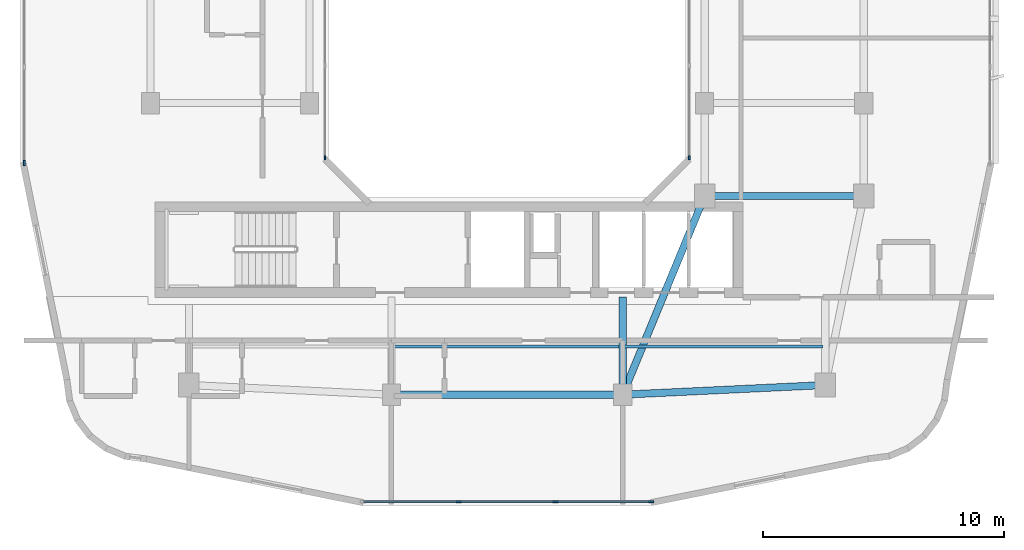
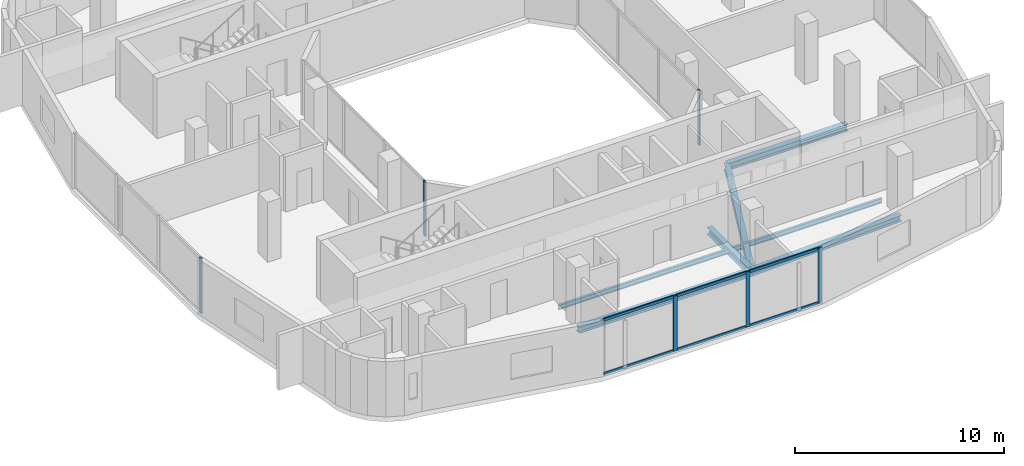
# One storey, part 2 of 14: 12 members, 7 beams, 4 elements without a shape of their own.
"""IFC4 building model written with IfcOpenShell, lengths in metres."""

from ifc_helpers import new_model, si_unit, derived_unit, direction, frame, origin, origin_2d, place, context, subcontext, project, spatial, rectangle, i_section, extrude, material, layer, layer_set, material_profile, profile_set, type_object, element, aggregate, save


model = new_model("IFC4")

# Units and contexts
model_context = context("Model", 3, precision=1e-05, world=origin(), true_north=direction((0.0, 1.0)))
body_context = subcontext(model_context, "Body", "Model", "MODEL_VIEW")
ifc_project = project(units=[si_unit("LENGTHUNIT", "METRE"), si_unit("AREAUNIT", "SQUARE_METRE"), si_unit("VOLUMEUNIT", "CUBIC_METRE"), si_unit("PLANEANGLEUNIT", "RADIAN"), si_unit("MASSUNIT", "GRAM", prefix="KILO"), derived_unit("THERMALTRANSMITTANCEUNIT", [(si_unit("POWERUNIT", "WATT"), 1), (si_unit("LENGTHUNIT", "METRE"), -2), (si_unit("THERMODYNAMICTEMPERATUREUNIT", "KELVIN"), -1)])], contexts=[model_context])

# Site, building, storey
site_placement = place(None, origin())
site = spatial("IfcSite", under=ifc_project, at=site_placement, CompositionType="ELEMENT")
building_placement = place(site_placement, origin())
building = spatial("IfcBuilding", under=site, at=building_placement, Name="Kivonza Crest Hotel", CompositionType="ELEMENT")
storey_placement = place(building_placement, frame((0.0, 0.0, 148.5)))
storey = spatial("IfcBuildingStorey", under=building, at=storey_placement, Name="L40", CompositionType="ELEMENT", Elevation=148.5)

# Beams
ifc_material_1 = material(Name="Steel S355", Category="steel")
ifc_material_profile_1 = material_profile(ifc_material_1, i_section(OverallWidth=0.300048828125, OverallDepth=0.360107421875, WebThickness=0.012451171875, FlangeThickness=0.0224609375, FilletRadius=0.027099609375, at=origin_2d()), Name="HEB 360")
ifc_profile_set_1 = profile_set([ifc_material_profile_1], Name="Steel S355")
beam_type_1 = type_object("IfcBeamType", Name="BM-HEB360", PredefinedType="SPANDREL", material=ifc_profile_set_1)
beam_1_placement = place(storey_placement, frame((16.199951171875, 9.39990234375, -0.4599609375), z_axis=(1.0, 0.0, 0.0), x_axis=(0.0, 1.0, 0.0)))
element("IfcBeam", 1, at=beam_1_placement, inside=storey, type_object=beam_type_1, Name="Tower T1 L40 perimeter spandrel S1-S2", PredefinedType="SPANDREL", context=body_context, shape_type="SweptSolid", body=[
    extrude(i_section(OverallWidth=0.300048828125, OverallDepth=0.360107421875, WebThickness=0.012451171875, FlangeThickness=0.0224609375, FilletRadius=0.027099609375, at=origin_2d()), origin(), (0.0, 0.0, 1.0), 9.60009765625),
])
beam_2_placement = place(storey_placement, frame((25.800048828125, 9.39990234375, -0.4599609375), z_axis=(0.998867283688, 0.047583080799, 0.0), x_axis=(-0.047583080799, 0.998867283688, 0.0)))
element("IfcBeam", 2, at=beam_2_placement, inside=storey, type_object=beam_type_1, Name="Tower T1 L40 perimeter spandrel S2-SE", PredefinedType="SPANDREL", context=body_context, shape_type="SweptSolid", body=[
    extrude(i_section(OverallWidth=0.300048828125, OverallDepth=0.360107421875, WebThickness=0.012451171875, FlangeThickness=0.0224609375, FilletRadius=0.027099609375, at=origin_2d()), origin(), (0.0, 0.0, 1.0), 8.409423828125),
])
ifc_material_profile_2 = material_profile(ifc_material_1, i_section(OverallWidth=0.300048828125, OverallDepth=0.39990234375, WebThickness=0.013427734375, FlangeThickness=0.02392578125, FilletRadius=0.027099609375, at=origin_2d()), Name="HEB 400")
ifc_profile_set_2 = profile_set([ifc_material_profile_2], Name="Steel S355")
beam_type_2 = type_object("IfcBeamType", Name="BM-HEB400", PredefinedType="BEAM", material=ifc_profile_set_2)
beam_3_placement = place(storey_placement, frame((25.800048828125, 9.39990234375, -0.47998046875), z_axis=(0.381022260404, 0.924565864109, 0.0), x_axis=(-0.924565864109, 0.381022260404, 0.0)))
element("IfcBeam", 3, at=beam_3_placement, inside=storey, type_object=beam_type_2, Name="Tower T1 L40 primary girder S1-TSE", PredefinedType="BEAM", context=body_context, shape_type="SweptSolid", body=[
    extrude(i_section(OverallWidth=0.300048828125, OverallDepth=0.39990234375, WebThickness=0.013427734375, FlangeThickness=0.02392578125, FilletRadius=0.027099609375, at=origin_2d()), origin(), (0.0, 0.0, 1.0), 8.923095703125),
])
beam_4_placement = place(storey_placement, frame((29.199951171875, 17.64990234375, -0.47998046875), z_axis=(1.0, 0.0, 0.0), x_axis=(0.0, 1.0, 0.0)))
element("IfcBeam", 4, at=beam_4_placement, inside=storey, type_object=beam_type_2, Name="Tower T1 L40 primary girder TSE-PSE", PredefinedType="BEAM", context=body_context, shape_type="SweptSolid", body=[
    extrude(i_section(OverallWidth=0.300048828125, OverallDepth=0.39990234375, WebThickness=0.013427734375, FlangeThickness=0.02392578125, FilletRadius=0.027099609375, at=origin_2d()), origin(), (0.0, 0.0, 1.0), 6.60009765625),
])
beam_5_placement = place(storey_placement, frame((25.800048828125, 9.39990234375, -0.47998046875), z_axis=(0.0, 1.0, 0.0), x_axis=(-1.0, 0.0, 0.0)))
element("IfcBeam", 5, at=beam_5_placement, inside=storey, type_object=beam_type_2, Name="Tower T1 L40 radial core girder RS2", PredefinedType="BEAM", context=body_context, shape_type="SweptSolid", body=[
    extrude(i_section(OverallWidth=0.300048828125, OverallDepth=0.39990234375, WebThickness=0.013427734375, FlangeThickness=0.02392578125, FilletRadius=0.027099609375, at=origin_2d()), origin(), (0.0, 0.0, 1.0), 4.050048828125),
])
ifc_material_profile_3 = material_profile(ifc_material_1, i_section(OverallWidth=0.135009765625, OverallDepth=0.27001953125, WebThickness=0.006591796875, FlangeThickness=0.01025390625, FilletRadius=0.014892578125, at=origin_2d()), Name="IPE 270")
ifc_profile_set_3 = profile_set([ifc_material_profile_3], Name="Steel S355")
beam_type_3 = type_object("IfcBeamType", Name="BM-IPE270", PredefinedType="JOIST", material=ifc_profile_set_3)
beam_6_placement = place(storey_placement, frame((16.280029296875, 11.39990234375, -0.4150390625), z_axis=(1.0, 0.0, 0.0), x_axis=(0.0, 1.0, 0.0)))
element("IfcBeam", 6, at=beam_6_placement, inside=storey, type_object=beam_type_3, Name="Tower T1 L40 South-Mid floor joist", PredefinedType="JOIST", context=body_context, shape_type="SweptSolid", body=[
    extrude(i_section(OverallWidth=0.135009765625, OverallDepth=0.27001953125, WebThickness=0.006591796875, FlangeThickness=0.01025390625, FilletRadius=0.014892578125, at=origin_2d()), origin(), (0.0, 0.0, 1.0), 9.43994140625),
])
beam_7_placement = place(storey_placement, frame((25.8798828125, 11.39990234375, -0.4150390625), z_axis=(1.0, 0.0, 0.0), x_axis=(0.0, 1.0, 0.0)))
element("IfcBeam", 7, at=beam_7_placement, inside=storey, type_object=beam_type_3, Name="Tower T1 L40 South-East floor joist", PredefinedType="JOIST", context=body_context, shape_type="SweptSolid", body=[
    extrude(i_section(OverallWidth=0.135009765625, OverallDepth=0.27001953125, WebThickness=0.006591796875, FlangeThickness=0.01025390625, FilletRadius=0.014892578125, at=origin_2d()), origin(), (0.0, 0.0, 1.0), 8.240234375),
])

# Curtain wall, member
ifc_material_2 = material(Name="Anodised bronze aluminium and low-E double glazing", Category="aluminium")
ifc_layer_1 = layer(ifc_material_2, 0.159912109375)
ifc_layer_set_1 = layer_set([ifc_layer_1], Name="Anodised bronze aluminium and low-E double glazing")
curtain_wall_type_1 = type_object("IfcCurtainWallType", Name="CW-SYS-5", PredefinedType="NOTDEFINED", material=ifc_layer_set_1)
curtain_wall_1_placement = place(storey_placement, origin())
curtain_wall_1 = element("IfcCurtainWall", 8, at=curtain_wall_1_placement, inside=storey, type_object=curtain_wall_type_1, Name="L40 unitised curtain wall CW-WELL-T1-L40-3", PredefinedType="NOTDEFINED")
ifc_material_3 = material(Name="Anodised bronze aluminium", Category="aluminium")
ifc_material_profile_4 = material_profile(ifc_material_3, rectangle(XDim=0.06494140625, YDim=0.179931640625, at=origin_2d()), Name="CW-M 65x180")
ifc_profile_set_4 = profile_set([ifc_material_profile_4], Name="Anodised bronze aluminium")
member_type_1 = type_object("IfcMemberType", Name="CW-MUL-65x180", PredefinedType="MULLION", material=ifc_profile_set_4)
member_1_placement = place(storey_placement, frame((28.56005859375, 19.232421875, 0.0), z_axis=(0.0, 0.0, 1.0), x_axis=(-1.0, 0.0, 0.0)))
member_1 = element("IfcMember", 9, at=member_1_placement, type_object=member_type_1, Name="CW-5 mullion 1", PredefinedType="MULLION", context=body_context, shape_type="SweptSolid", body=[
    extrude(rectangle(XDim=0.06494140625, YDim=0.179931640625, at=origin_2d()), origin(), (0.0, 0.0, 1.0), 3.219970703125),
])
aggregate(curtain_wall_1, [member_1])

curtain_wall_2_placement = place(storey_placement, origin())
curtain_wall_2 = element("IfcCurtainWall", 10, at=curtain_wall_2_placement, inside=storey, type_object=curtain_wall_type_1, Name="L40 unitised curtain wall CW-WELL-T1-L40-7", PredefinedType="NOTDEFINED")
member_2_placement = place(storey_placement, frame((13.43994140625, 19.232421875, 0.0), z_axis=(0.0, 0.0, 1.0), x_axis=(1.0, 0.0, 0.0)))
member_2 = element("IfcMember", 11, at=member_2_placement, type_object=member_type_1, Name="CW-5 mullion 4", PredefinedType="MULLION", context=body_context, shape_type="SweptSolid", body=[
    extrude(rectangle(XDim=0.06494140625, YDim=0.179931640625, at=origin_2d()), origin(), (0.0, 0.0, 1.0), 3.219970703125),
])
aggregate(curtain_wall_2, [member_2])

# Curtain wall, members
ifc_layer_2 = layer(ifc_material_2, 0.179931640625)
ifc_layer_set_2 = layer_set([ifc_layer_2], Name="Anodised bronze aluminium and low-E double glazing")
curtain_wall_type_2 = type_object("IfcCurtainWallType", Name="CW-SYS-3", PredefinedType="NOTDEFINED", material=ifc_layer_set_2)
curtain_wall_3_placement = place(storey_placement, origin())
curtain_wall_3 = element("IfcCurtainWall", 12, at=curtain_wall_3_placement, inside=storey, type_object=curtain_wall_type_2, Name="L40 unitised curtain wall CW-T1-L40-08", PredefinedType="NOTDEFINED")
ifc_material_profile_5 = material_profile(ifc_material_3, rectangle(XDim=0.074951171875, YDim=0.219970703125, at=origin_2d()), Name="CW-M 75x220")
ifc_profile_set_5 = profile_set([ifc_material_profile_5], Name="Anodised bronze aluminium")
member_type_2 = type_object("IfcMemberType", Name="CW-MUL-75x220", PredefinedType="MULLION", material=ifc_profile_set_5)
member_3_placement = place(storey_placement, frame((18.993408203125, 4.9599609375, 0.0), z_axis=(0.0, 0.0, 1.0), x_axis=(0.0, 1.0, 0.0)))
member_3 = element("IfcMember", 13, at=member_3_placement, type_object=member_type_2, Name="CW-3 mullion 2", PredefinedType="MULLION", context=body_context, shape_type="SweptSolid", body=[
    extrude(rectangle(XDim=0.074951171875, YDim=0.219970703125, at=origin_2d()), origin(), (0.0, 0.0, 1.0), 3.219970703125),
])
member_4_placement = place(storey_placement, frame((23.006591796875, 4.9599609375, 0.0), z_axis=(0.0, 0.0, 1.0), x_axis=(0.0, 1.0, 0.0)))
member_4 = element("IfcMember", 14, at=member_4_placement, type_object=member_type_2, Name="CW-3 mullion 3", PredefinedType="MULLION", context=body_context, shape_type="SweptSolid", body=[
    extrude(rectangle(XDim=0.074951171875, YDim=0.219970703125, at=origin_2d()), origin(), (0.0, 0.0, 1.0), 3.219970703125),
])
member_5_placement = place(storey_placement, frame((26.982421875, 4.9599609375, 0.0), z_axis=(0.0, 0.0, 1.0), x_axis=(0.0, 1.0, 0.0)))
member_5 = element("IfcMember", 15, at=member_5_placement, type_object=member_type_2, Name="CW-3 mullion 4", PredefinedType="MULLION", context=body_context, shape_type="SweptSolid", body=[
    extrude(rectangle(XDim=0.074951171875, YDim=0.219970703125, at=origin_2d()), origin(), (0.0, 0.0, 1.0), 3.219970703125),
])

# Curtain wall, member
curtain_wall_4_placement = place(storey_placement, origin())
curtain_wall_4 = element("IfcCurtainWall", 16, at=curtain_wall_4_placement, inside=storey, type_object=curtain_wall_type_2, Name="L40 unitised curtain wall CW-T1-L40-35", PredefinedType="NOTDEFINED")
member_6_placement = place(storey_placement, frame((0.9599609375, 19.017578125, 0.0), z_axis=(0.0, 0.0, 1.0), x_axis=(1.0, 0.0, 0.0)))
member_6 = element("IfcMember", 17, at=member_6_placement, type_object=member_type_2, Name="CW-3 mullion 4", PredefinedType="MULLION", context=body_context, shape_type="SweptSolid", body=[
    extrude(rectangle(XDim=0.074951171875, YDim=0.219970703125, at=origin_2d()), origin(), (0.0, 0.0, 1.0), 3.219970703125),
])
aggregate(curtain_wall_4, [member_6])

# Member
ifc_material_profile_6 = material_profile(ifc_material_3, rectangle(XDim=0.074951171875, YDim=0.159912109375, at=origin_2d()), Name="CW-T 75x160")
ifc_profile_set_6 = profile_set([ifc_material_profile_6], Name="Anodised bronze aluminium")
member_type_3 = type_object("IfcMemberType", Name="CW-TRN-75x160", PredefinedType="USERDEFINED", material=ifc_profile_set_6)
member_7_placement = place(storey_placement, frame((15.054931640625, 4.9599609375, 0.03759765625), z_axis=(1.0, 0.0, 0.0), x_axis=(0.0, 1.0, 0.0)))
member_7 = element("IfcMember", 18, at=member_7_placement, type_object=member_type_3, Name="CW-3 transom 1.1", ObjectType="TRANSOM", PredefinedType="USERDEFINED", context=body_context, shape_type="SweptSolid", body=[
    extrude(rectangle(XDim=0.074951171875, YDim=0.159912109375, at=origin_2d()), origin(), (0.0, 0.0, 1.0), 3.90087890625),
])

member_8_placement = place(storey_placement, frame((15.054931640625, 4.9599609375, 3.1826171875), z_axis=(1.0, 0.0, 0.0), x_axis=(0.0, 1.0, 0.0)))
member_8 = element("IfcMember", 19, at=member_8_placement, type_object=member_type_3, Name="CW-3 transom 1.2", ObjectType="TRANSOM", PredefinedType="USERDEFINED", context=body_context, shape_type="SweptSolid", body=[
    extrude(rectangle(XDim=0.074951171875, YDim=0.159912109375, at=origin_2d()), origin(), (0.0, 0.0, 1.0), 3.90087890625),
])

member_9_placement = place(storey_placement, frame((19.03076171875, 4.9599609375, 0.03759765625), z_axis=(1.0, 0.0, 0.0), x_axis=(0.0, 1.0, 0.0)))
member_9 = element("IfcMember", 20, at=member_9_placement, type_object=member_type_3, Name="CW-3 transom 2.1", ObjectType="TRANSOM", PredefinedType="USERDEFINED", context=body_context, shape_type="SweptSolid", body=[
    extrude(rectangle(XDim=0.074951171875, YDim=0.159912109375, at=origin_2d()), origin(), (0.0, 0.0, 1.0), 3.9384765625),
])

member_10_placement = place(storey_placement, frame((19.03076171875, 4.9599609375, 3.1826171875), z_axis=(1.0, 0.0, 0.0), x_axis=(0.0, 1.0, 0.0)))
member_10 = element("IfcMember", 21, at=member_10_placement, type_object=member_type_3, Name="CW-3 transom 2.2", ObjectType="TRANSOM", PredefinedType="USERDEFINED", context=body_context, shape_type="SweptSolid", body=[
    extrude(rectangle(XDim=0.074951171875, YDim=0.159912109375, at=origin_2d()), origin(), (0.0, 0.0, 1.0), 3.9384765625),
])

member_11_placement = place(storey_placement, frame((23.044189453125, 4.9599609375, 0.03759765625), z_axis=(1.0, 0.0, 0.0), x_axis=(0.0, 1.0, 0.0)))
member_11 = element("IfcMember", 22, at=member_11_placement, type_object=member_type_3, Name="CW-3 transom 3.1", ObjectType="TRANSOM", PredefinedType="USERDEFINED", context=body_context, shape_type="SweptSolid", body=[
    extrude(rectangle(XDim=0.074951171875, YDim=0.159912109375, at=origin_2d()), origin(), (0.0, 0.0, 1.0), 3.90087890625),
])

member_12_placement = place(storey_placement, frame((23.044189453125, 4.9599609375, 3.1826171875), z_axis=(1.0, 0.0, 0.0), x_axis=(0.0, 1.0, 0.0)))
member_12 = element("IfcMember", 23, at=member_12_placement, type_object=member_type_3, Name="CW-3 transom 3.2", ObjectType="TRANSOM", PredefinedType="USERDEFINED", context=body_context, shape_type="SweptSolid", body=[
    extrude(rectangle(XDim=0.074951171875, YDim=0.159912109375, at=origin_2d()), origin(), (0.0, 0.0, 1.0), 3.90087890625),
])

aggregate(curtain_wall_3, [member_3, member_4, member_5, member_7, member_8, member_9, member_10, member_11, member_12])

save(model, "model.ifc")
